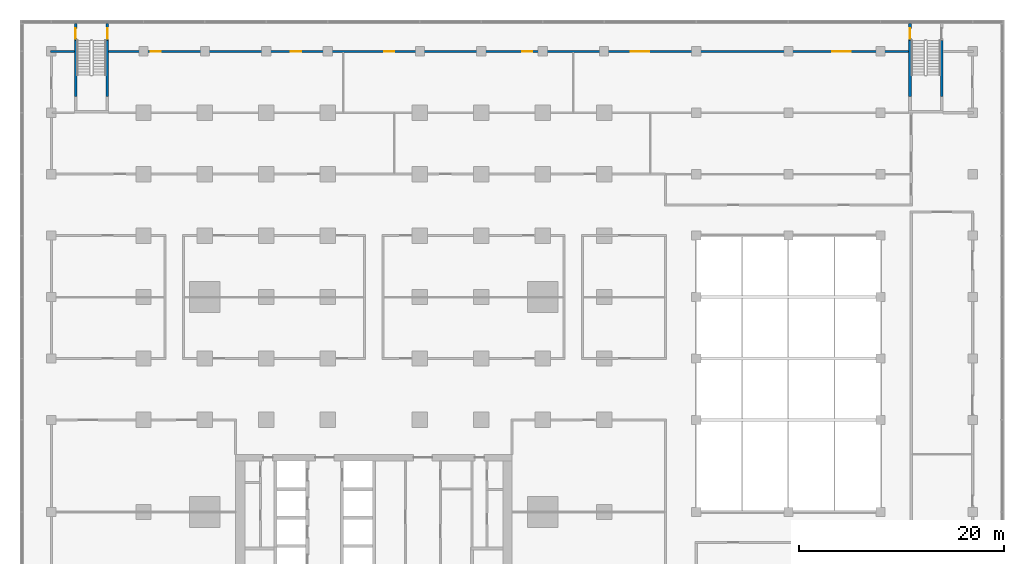
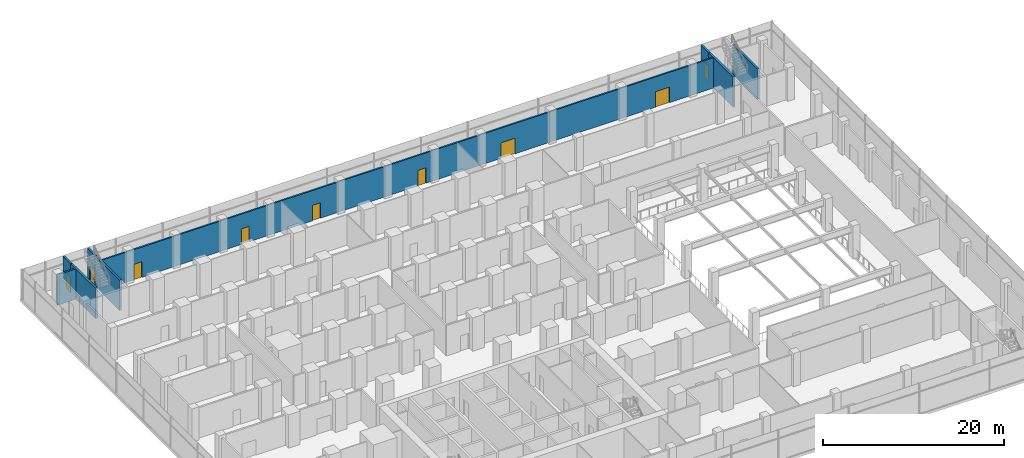
# One storey, part 18 of 22: 9 doors, 9 walls, 9 openings.
"""IFC4 building model written with IfcOpenShell, lengths in metres."""

from ifc_helpers import new_model, si_unit, direction, frame, frame_2d, origin, place, context, subcontext, project, spatial, rectangle, extrude, material, layer, layer_set, type_object, element, fill, save


model = new_model("IFC4")

# Units and contexts
model_context = context("Model", 3, precision=1e-05, world=origin(), true_north=direction((0.0, 1.0)))
body_context = subcontext(model_context, "Body", "Model", "MODEL_VIEW")
ifc_project = project(units=[si_unit("LENGTHUNIT", "METRE"), si_unit("AREAUNIT", "SQUARE_METRE"), si_unit("VOLUMEUNIT", "CUBIC_METRE"), si_unit("PLANEANGLEUNIT", "RADIAN"), si_unit("MASSUNIT", "GRAM", prefix="KILO")], contexts=[model_context])

# Site, building, storey
site_placement = place(None, origin())
site = spatial("IfcSite", under=ifc_project, at=site_placement, CompositionType="ELEMENT")
building_placement = place(site_placement, origin())
building = spatial("IfcBuilding", under=site, at=building_placement, Name="Finial Court Residences", CompositionType="ELEMENT")
storey_placement = place(building_placement, frame((0.0, 0.0, 28.0)))
storey = spatial("IfcBuildingStorey", under=building, at=storey_placement, Name="L05", CompositionType="ELEMENT", Elevation=28.0)

# Wall
ifc_material_1 = material(Name="Gypsum board")
ifc_layer_1 = layer(ifc_material_1, 0.02490234375)
ifc_material_2 = material(Name="Acoustic mineral wool in double frame")
ifc_layer_2 = layer(ifc_material_2, 0.14990234375)
ifc_layer_3 = layer(ifc_material_1, 0.02490234375)
ifc_layer_set_1 = layer_set([ifc_layer_1, ifc_layer_2, ifc_layer_3], Name="Corridor wall 200, 1 hour")
wall_type_1 = type_object("IfcWallType", Name="Corridor wall 200, 1 hour", PredefinedType="PARTITIONING", material=ifc_layer_set_1)
wall_1_placement = place(storey_placement, frame((-31.60009765625, 31.5, 0.0), z_axis=(0.0, 0.0, 1.0), x_axis=(1.0, 0.0, 0.0)))
element("IfcWall", 1, at=wall_1_placement, inside=storey, type_object=wall_type_1, Name="Partition L05-036", PredefinedType="PARTITIONING", context=body_context, shape_type="SweptSolid", body=[
    extrude(rectangle(XDim=2.35009765625, YDim=0.199951171875, at=frame_2d((1.175048828125, 0.0))), origin(), (0.0, 0.0, 1.0), 4.10009765625),
])

# Wall, openings, doors
wall_2_placement = place(storey_placement, frame((-25.89990234375, 31.5, 0.0), z_axis=(0.0, 0.0, 1.0), x_axis=(1.0, 0.0, 0.0)))
wall_2 = element("IfcWall", 2, at=wall_2_placement, inside=storey, type_object=wall_type_1, Name="Partition L05-037", PredefinedType="PARTITIONING", context=body_context, shape_type="SweptSolid", body=[
    extrude(rectangle(XDim=78.14990234375, YDim=0.199951171875, at=frame_2d((39.074951171875, 0.0))), origin(), (0.0, 0.0, 1.0), 4.10009765625),
])
opening_1_placement = place(wall_2_placement, frame((4.10009765625, 0.0, 0.0)))
opening_1 = element("IfcOpeningElement", 3, at=opening_1_placement, cuts=wall_2, Name="Opening L05-D035", PredefinedType="OPENING", context=body_context, shape_type="SweptSolid", body=[
    extrude(rectangle(XDim=1.0, YDim=2.10009765625, at=frame_2d((0.5, 1.050048828125))), frame((0.0, 0.10986328125, 0.0), z_axis=(0.0, -1.0, 0.0), x_axis=(1.0, 0.0, 0.0)), (0.0, 0.0, 1.0), 0.219970703125),
])
opening_2_placement = place(wall_2_placement, frame((17.800048828125, 0.0, 0.0)))
opening_2 = element("IfcOpeningElement", 4, at=opening_2_placement, cuts=wall_2, Name="Opening L05-D036", PredefinedType="OPENING", context=body_context, shape_type="SweptSolid", body=[
    extrude(rectangle(XDim=1.0, YDim=2.10009765625, at=frame_2d((0.5, 1.050048828125))), frame((0.0, 0.10986328125, 0.0), z_axis=(0.0, -1.0, 0.0), x_axis=(1.0, 0.0, 0.0)), (0.0, 0.0, 1.0), 0.219970703125),
])
opening_3_placement = place(wall_2_placement, frame((26.89990234375, 0.0, 0.0)))
opening_3 = element("IfcOpeningElement", 5, at=opening_3_placement, cuts=wall_2, Name="Opening L05-D037", PredefinedType="OPENING", context=body_context, shape_type="SweptSolid", body=[
    extrude(rectangle(XDim=1.0, YDim=2.10009765625, at=frame_2d((0.5, 1.050048828125))), frame((0.0, 0.10986328125, 0.0), z_axis=(0.0, -1.0, 0.0), x_axis=(1.0, 0.0, 0.0)), (0.0, 0.0, 1.0), 0.219970703125),
])
opening_4_placement = place(wall_2_placement, frame((40.39990234375, 0.0, 0.0)))
opening_4 = element("IfcOpeningElement", 6, at=opening_4_placement, cuts=wall_2, Name="Opening L05-D038", PredefinedType="OPENING", context=body_context, shape_type="SweptSolid", body=[
    extrude(rectangle(XDim=1.0, YDim=2.10009765625, at=frame_2d((0.5, 1.050048828125))), frame((0.0, 0.10986328125, 0.0), z_axis=(0.0, -1.0, 0.0), x_axis=(1.0, 0.0, 0.0)), (0.0, 0.0, 1.0), 0.219970703125),
])
opening_5_placement = place(wall_2_placement, frame((51.0, 0.0, 0.0)))
opening_5 = element("IfcOpeningElement", 7, at=opening_5_placement, cuts=wall_2, Name="Opening L05-D039", PredefinedType="OPENING", context=body_context, shape_type="SweptSolid", body=[
    extrude(rectangle(XDim=1.800048828125, YDim=2.10009765625, at=frame_2d((0.89990234375, 1.050048828125))), frame((0.0, 0.10986328125, 0.0), z_axis=(0.0, -1.0, 0.0), x_axis=(1.0, 0.0, 0.0)), (0.0, 0.0, 1.0), 0.219970703125),
])
opening_6_placement = place(wall_2_placement, frame((70.699951171875, 0.0, 0.0)))
opening_6 = element("IfcOpeningElement", 8, at=opening_6_placement, cuts=wall_2, Name="Opening L05-D040", PredefinedType="OPENING", context=body_context, shape_type="SweptSolid", body=[
    extrude(rectangle(XDim=1.800048828125, YDim=2.10009765625, at=frame_2d((0.89990234375, 1.050048828125))), frame((0.0, 0.10986328125, 0.0), z_axis=(0.0, -1.0, 0.0), x_axis=(1.0, 0.0, 0.0)), (0.0, 0.0, 1.0), 0.219970703125),
])
ifc_material_3 = material(Name="Timber door leaf in hollow metal frame", Category="wood")
door_type_1 = type_object("IfcDoorType", Name="Fire door set 1000 x 2100, 30 minutes", OperationType="SINGLE_SWING_LEFT", PredefinedType="DOOR", material=ifc_material_3)
door_1_placement = place(opening_1_placement, origin())
door_1 = element("IfcDoor", 9, at=door_1_placement, inside=storey, type_object=door_type_1, Name="Door L05-D035", OperationType="SINGLE_SWING_LEFT", OverallHeight=2.10009765625, OverallWidth=1.0, PredefinedType="DOOR", context=body_context, shape_type="SweptSolid", body=[
    extrude(rectangle(XDim=1.0, YDim=2.10009765625, at=frame_2d((0.5, 1.050048828125))), frame((0.0, 0.02490234375, 0.0), z_axis=(0.0, -1.0, 0.0), x_axis=(1.0, 0.0, 0.0)), (0.0, 0.0, 1.0), 0.050048828125),
])
fill(opening_1, door_1)
door_2_placement = place(opening_2_placement, origin())
door_2 = element("IfcDoor", 10, at=door_2_placement, inside=storey, type_object=door_type_1, Name="Door L05-D036", OperationType="SINGLE_SWING_LEFT", OverallHeight=2.10009765625, OverallWidth=1.0, PredefinedType="DOOR", context=body_context, shape_type="SweptSolid", body=[
    extrude(rectangle(XDim=1.0, YDim=2.10009765625, at=frame_2d((0.5, 1.050048828125))), frame((0.0, 0.02490234375, 0.0), z_axis=(0.0, -1.0, 0.0), x_axis=(1.0, 0.0, 0.0)), (0.0, 0.0, 1.0), 0.050048828125),
])
fill(opening_2, door_2)
door_3_placement = place(opening_3_placement, origin())
door_3 = element("IfcDoor", 11, at=door_3_placement, inside=storey, type_object=door_type_1, Name="Door L05-D037", OperationType="SINGLE_SWING_LEFT", OverallHeight=2.10009765625, OverallWidth=1.0, PredefinedType="DOOR", context=body_context, shape_type="SweptSolid", body=[
    extrude(rectangle(XDim=1.0, YDim=2.10009765625, at=frame_2d((0.5, 1.050048828125))), frame((0.0, 0.02490234375, 0.0), z_axis=(0.0, -1.0, 0.0), x_axis=(1.0, 0.0, 0.0)), (0.0, 0.0, 1.0), 0.050048828125),
])
fill(opening_3, door_3)
door_4_placement = place(opening_4_placement, origin())
door_4 = element("IfcDoor", 12, at=door_4_placement, inside=storey, type_object=door_type_1, Name="Door L05-D038", OperationType="SINGLE_SWING_RIGHT", OverallHeight=2.10009765625, OverallWidth=1.0, PredefinedType="DOOR", context=body_context, shape_type="SweptSolid", body=[
    extrude(rectangle(XDim=1.0, YDim=2.10009765625, at=frame_2d((0.5, 1.050048828125))), frame((0.0, 0.02490234375, 0.0), z_axis=(0.0, -1.0, 0.0), x_axis=(1.0, 0.0, 0.0)), (0.0, 0.0, 1.0), 0.050048828125),
])
fill(opening_4, door_4)
door_type_2 = type_object("IfcDoorType", Name="Fire door set 1800 x 2100, 30 minutes", OperationType="DOUBLE_DOOR_SINGLE_SWING", PredefinedType="DOOR", material=ifc_material_3)
door_5_placement = place(opening_5_placement, origin())
door_5 = element("IfcDoor", 13, at=door_5_placement, inside=storey, type_object=door_type_2, Name="Door L05-D039", OperationType="DOUBLE_DOOR_SINGLE_SWING", OverallHeight=2.10009765625, OverallWidth=1.800048828125, PredefinedType="DOOR", context=body_context, shape_type="SweptSolid", body=[
    extrude(rectangle(XDim=1.800048828125, YDim=2.10009765625, at=frame_2d((0.89990234375, 1.050048828125))), frame((0.0, 0.02490234375, 0.0), z_axis=(0.0, -1.0, 0.0), x_axis=(1.0, 0.0, 0.0)), (0.0, 0.0, 1.0), 0.050048828125),
])
fill(opening_5, door_5)
door_6_placement = place(opening_6_placement, origin())
door_6 = element("IfcDoor", 14, at=door_6_placement, inside=storey, type_object=door_type_2, Name="Door L05-D040", OperationType="DOUBLE_DOOR_SINGLE_SWING", OverallHeight=2.10009765625, OverallWidth=1.800048828125, PredefinedType="DOOR", context=body_context, shape_type="SweptSolid", body=[
    extrude(rectangle(XDim=1.800048828125, YDim=2.10009765625, at=frame_2d((0.89990234375, 1.050048828125))), frame((0.0, 0.02490234375, 0.0), z_axis=(0.0, -1.0, 0.0), x_axis=(1.0, 0.0, 0.0)), (0.0, 0.0, 1.0), 0.050048828125),
])
fill(opening_6, door_6)

# Wall, opening, door
ifc_material_4 = material(Name="Concrete C50/60", Category="concrete")
ifc_layer_4 = layer(ifc_material_4, 0.25)
ifc_layer_set_2 = layer_set([ifc_layer_4], Name="Stair enclosure wall 250 Concrete C50/60")
wall_type_2 = type_object("IfcWallType", Name="Stair enclosure wall 250 Concrete C50/60", PredefinedType="SHEAR", material=ifc_layer_set_2)
wall_3_placement = place(storey_placement, frame((52.375, 34.239990234375, 0.0), z_axis=(0.0, 0.0, 1.0), x_axis=(0.0, -1.0, 0.0)))
wall_3 = element("IfcWall", 15, at=wall_3_placement, inside=storey, type_object=wall_type_2, Name="Exit Stair 5 enclosure wall L05-W1", PredefinedType="SHEAR", context=body_context, shape_type="SweptSolid", body=[
    extrude(rectangle(XDim=1.68994140625, YDim=0.25, at=frame_2d((0.844970703125, 0.0))), origin(), (0.0, 0.0, 1.0), 4.10009765625),
])
opening_7_placement = place(wall_3_placement, frame((0.489990234375, 0.0, 0.0)))
opening_7 = element("IfcOpeningElement", 16, at=opening_7_placement, cuts=wall_3, Name="Opening L05-S5", PredefinedType="OPENING", context=body_context, shape_type="SweptSolid", body=[
    extrude(rectangle(XDim=1.0, YDim=2.10009765625, at=frame_2d((0.5, 1.050048828125))), frame((0.0, 0.135009765625, 0.0), z_axis=(0.0, -1.0, 0.0), x_axis=(1.0, 0.0, 0.0)), (0.0, 0.0, 1.0), 0.27001953125),
])
ifc_material_5 = material(Name="Steel fire door", Category="steel")
door_type_3 = type_object("IfcDoorType", Name="Stair door 1000 x 2100 EI 90", OperationType="NOTDEFINED", PredefinedType="DOOR", material=ifc_material_5)
door_7_placement = place(opening_7_placement, origin())
door_7 = element("IfcDoor", 17, at=door_7_placement, inside=storey, type_object=door_type_3, Name="Exit Stair 5 door L05", OperationType="SINGLE_SWING_LEFT", OverallHeight=2.10009765625, OverallWidth=1.0, PredefinedType="DOOR", context=body_context, shape_type="SweptSolid", body=[
    extrude(rectangle(XDim=1.0, YDim=2.10009765625, at=frame_2d((0.5, 1.050048828125))), frame((0.0, 0.02490234375, 0.0), z_axis=(0.0, -1.0, 0.0), x_axis=(1.0, 0.0, 0.0)), (0.0, 0.0, 1.0), 0.050048828125),
])
fill(opening_7, door_7)

# Walls
for number, where, z_axis, x_axis, name in (
    (18, (52.375, 27.070068359375, 0.0), (0.0, 0.0, 1.0), (0.0, 1.0, 0.0), "Exit Stair 5 enclosure wall L05-W2"),
    (19, (55.47509765625, 27.070068359375, 0.0), (0.0, 0.0, 1.0), (0.0, 1.0, 0.0), "Exit Stair 5 enclosure wall L05-E2"),
):
    element("IfcWall", number, at=place(storey_placement, frame(where, z_axis=z_axis, x_axis=x_axis)), inside=storey, type_object=wall_type_2, Name=name, PredefinedType="SHEAR", context=body_context, shape_type="SweptSolid", body=[
        extrude(rectangle(XDim=5.47998046875, YDim=0.25, at=frame_2d((2.739990234375, 0.0))), origin(), (0.0, 0.0, 1.0), 4.10009765625),
    ])

# Wall, opening, door
wall_4_placement = place(storey_placement, frame((-29.125, 34.239990234375, 0.0), z_axis=(0.0, 0.0, 1.0), x_axis=(0.0, -1.0, 0.0)))
wall_4 = element("IfcWall", 20, at=wall_4_placement, inside=storey, type_object=wall_type_2, Name="Exit Stair 6 enclosure wall L05-W1", PredefinedType="SHEAR", context=body_context, shape_type="SweptSolid", body=[
    extrude(rectangle(XDim=1.68994140625, YDim=0.25, at=frame_2d((0.844970703125, 0.0))), origin(), (0.0, 0.0, 1.0), 4.10009765625),
])
opening_8_placement = place(wall_4_placement, frame((0.489990234375, 0.0, 0.0)))
opening_8 = element("IfcOpeningElement", 21, at=opening_8_placement, cuts=wall_4, Name="Opening L05-S6", PredefinedType="OPENING", context=body_context, shape_type="SweptSolid", body=[
    extrude(rectangle(XDim=1.0, YDim=2.10009765625, at=frame_2d((0.5, 1.050048828125))), frame((0.0, 0.135009765625, 0.0), z_axis=(0.0, -1.0, 0.0), x_axis=(1.0, 0.0, 0.0)), (0.0, 0.0, 1.0), 0.27001953125),
])
door_8_placement = place(opening_8_placement, origin())
door_8 = element("IfcDoor", 22, at=door_8_placement, inside=storey, type_object=door_type_3, Name="Exit Stair 6 door L05", OperationType="SINGLE_SWING_LEFT", OverallHeight=2.10009765625, OverallWidth=1.0, PredefinedType="DOOR", context=body_context, shape_type="SweptSolid", body=[
    extrude(rectangle(XDim=1.0, YDim=2.10009765625, at=frame_2d((0.5, 1.050048828125))), frame((0.0, 0.02490234375, 0.0), z_axis=(0.0, -1.0, 0.0), x_axis=(1.0, 0.0, 0.0)), (0.0, 0.0, 1.0), 0.050048828125),
])
fill(opening_8, door_8)

# Wall
wall_5_placement = place(storey_placement, frame((-29.125, 27.070068359375, 0.0), z_axis=(0.0, 0.0, 1.0), x_axis=(0.0, 1.0, 0.0)))
element("IfcWall", 23, at=wall_5_placement, inside=storey, type_object=wall_type_2, Name="Exit Stair 6 enclosure wall L05-W2", PredefinedType="SHEAR", context=body_context, shape_type="SweptSolid", body=[
    extrude(rectangle(XDim=5.47998046875, YDim=0.25, at=frame_2d((2.739990234375, 0.0))), origin(), (0.0, 0.0, 1.0), 4.10009765625),
])

# Wall, opening, door
wall_6_placement = place(storey_placement, frame((-26.02490234375, 32.550048828125, 0.0), z_axis=(0.0, 0.0, 1.0), x_axis=(0.0, 1.0, 0.0)))
wall_6 = element("IfcWall", 24, at=wall_6_placement, inside=storey, type_object=wall_type_2, Name="Exit Stair 6 enclosure wall L05-E1", PredefinedType="SHEAR", context=body_context, shape_type="SweptSolid", body=[
    extrude(rectangle(XDim=1.68994140625, YDim=0.25, at=frame_2d((0.844970703125, 0.0))), origin(), (0.0, 0.0, 1.0), 4.10009765625),
])
opening_9_placement = place(wall_6_placement, frame((0.199951171875, 0.0, 0.0)))
opening_9 = element("IfcOpeningElement", 25, at=opening_9_placement, cuts=wall_6, Name="Opening L05-S6E", PredefinedType="OPENING", context=body_context, shape_type="SweptSolid", body=[
    extrude(rectangle(XDim=1.0, YDim=2.10009765625, at=frame_2d((0.5, 1.050048828125))), frame((0.0, 0.135009765625, 0.0), z_axis=(0.0, -1.0, 0.0), x_axis=(1.0, 0.0, 0.0)), (0.0, 0.0, 1.0), 0.27001953125),
])
door_9_placement = place(opening_9_placement, origin())
door_9 = element("IfcDoor", 26, at=door_9_placement, inside=storey, type_object=door_type_3, Name="Exit Stair 6 east door L05", OperationType="SINGLE_SWING_RIGHT", OverallHeight=2.10009765625, OverallWidth=1.0, PredefinedType="DOOR", context=body_context, shape_type="SweptSolid", body=[
    extrude(rectangle(XDim=1.0, YDim=2.10009765625, at=frame_2d((0.5, 1.050048828125))), frame((0.0, 0.02490234375, 0.0), z_axis=(0.0, -1.0, 0.0), x_axis=(1.0, 0.0, 0.0)), (0.0, 0.0, 1.0), 0.050048828125),
])
fill(opening_9, door_9)

# Wall
wall_7_placement = place(storey_placement, frame((-26.02490234375, 27.070068359375, 0.0), z_axis=(0.0, 0.0, 1.0), x_axis=(0.0, 1.0, 0.0)))
element("IfcWall", 27, at=wall_7_placement, inside=storey, type_object=wall_type_2, Name="Exit Stair 6 enclosure wall L05-E2", PredefinedType="SHEAR", context=body_context, shape_type="SweptSolid", body=[
    extrude(rectangle(XDim=5.47998046875, YDim=0.25, at=frame_2d((2.739990234375, 0.0))), origin(), (0.0, 0.0, 1.0), 4.10009765625),
])

save(model, "model.ifc")
